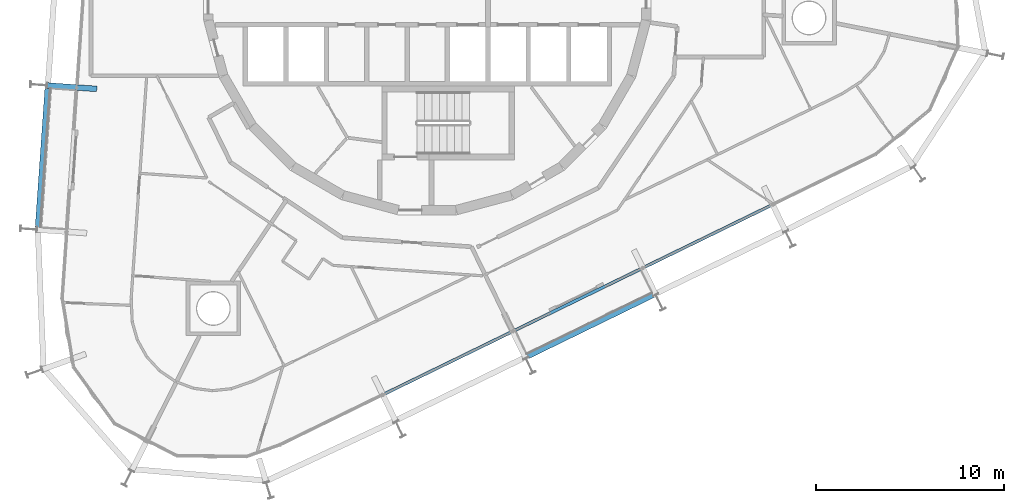
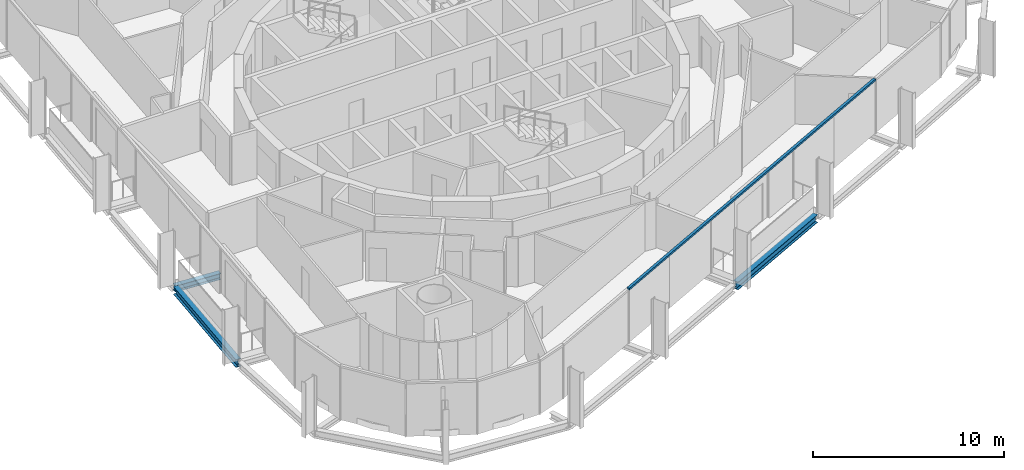
# One storey, part 3 of 18: 3 beams, 1 member, 1 element without a shape of its own.
"""IFC4 building model written with IfcOpenShell, lengths in metres."""

import ifcopenshell
import ifcopenshell.guid

model = None  # the IFC model being written
_history = None  # IfcOwnerHistory: only IFC2X3 demands one
_inside = {}  # id of a spatial element -> (the spatial element, [elements in it])
_under = {}  # id of a project, library or spatial element -> (it, [spatial elements below it])
_declared = {}  # id of a project -> (the project, [libraries it declares])
_typed = {}  # id of a type object -> (the type object, [elements of that type])
_made_of = {}  # id of a material, layer set ... -> (it, [elements and type objects made of it])


def new_model(schema):
    """Start an empty IFC model of exactly this schema.

    Asked for "IFC4X3", IfcOpenShell would pick the latest addendum, in which some entities
    have other attributes; the version numbers below select the first issue.
    IFC2X3 requires an IfcOwnerHistory on every rooted entity: one is made here for all.
    """
    global model, _history
    if schema == "IFC4X3":
        model = ifcopenshell.file(schema_version=(4, 3, 0, 0))
    else:
        model = ifcopenshell.file(schema=schema)
    _inside.clear()
    _under.clear()
    _declared.clear()
    _typed.clear()
    _made_of.clear()
    _history = None
    if model.schema == "IFC2X3":
        org = make("IfcOrganization", Name="unknown")
        user = make(
            "IfcPersonAndOrganization",
            ThePerson=make("IfcPerson", FamilyName="unknown"),
            TheOrganization=org,
        )
        app = make(
            "IfcApplication",
            ApplicationDeveloper=org,
            Version="unknown",
            ApplicationFullName="unknown",
            ApplicationIdentifier="unknown",
        )
        _history = make(
            "IfcOwnerHistory",
            OwningUser=user,
            OwningApplication=app,
            ChangeAction="ADDED",
            CreationDate=0,
        )
    return model


def make(cls, **values):
    """One entity of the class cls with the attributes given. An attribute that is None is left unset."""
    return model.create_entity(
        cls, **{name: value for name, value in values.items() if value is not None}
    )


def rooted(cls, **values):
    """An entity with a GlobalId (a new one), such as an element, a storey or a relation."""
    return make(cls, GlobalId=ifcopenshell.guid.new(), OwnerHistory=_history, **values)


def si_unit(unit_type, name, prefix=None):
    """IfcSIUnit, for example si_unit("LENGTHUNIT", "METRE", prefix="MILLI")."""
    return make("IfcSIUnit", UnitType=unit_type, Prefix=prefix, Name=name)


def assignment(units):
    """IfcUnitAssignment: the units of a project."""
    return None if units is None else make("IfcUnitAssignment", Units=units)


def point(xyz):
    """IfcCartesianPoint."""
    return None if xyz is None else make("IfcCartesianPoint", Coordinates=xyz)


def direction(xyz):
    """IfcDirection."""
    return None if xyz is None else make("IfcDirection", DirectionRatios=xyz)


def frame(location, z_axis=None, x_axis=None):
    """IfcAxis2Placement3D, a coordinate frame: its origin and axes. An axis left out is left unset."""
    return make(
        "IfcAxis2Placement3D",
        Location=point(location),
        Axis=direction(z_axis),
        RefDirection=direction(x_axis),
    )


def frame_2d(location, x_axis=None):
    """IfcAxis2Placement2D, a coordinate frame in the plane: its origin and x axis."""
    return make(
        "IfcAxis2Placement2D", Location=point(location), RefDirection=direction(x_axis)
    )


def origin():
    """The frame at (0, 0, 0) with its axes left unset."""
    return frame((0.0, 0.0, 0.0))


def origin_2d():
    """The frame at (0, 0) in the plane with its x axis left unset."""
    return frame_2d((0.0, 0.0))


def place(relative_to, where):
    """IfcLocalPlacement: puts the frame where relative to a parent placement (None: the world)."""
    return make(
        "IfcLocalPlacement", PlacementRelTo=relative_to, RelativePlacement=where
    )


def context(
    kind, dimensions, precision=None, world=None, true_north=None, identifier=None
):
    """IfcGeometricRepresentationContext, for example the 3D "Model" context."""
    return make(
        "IfcGeometricRepresentationContext",
        ContextIdentifier=identifier,
        ContextType=kind,
        CoordinateSpaceDimension=dimensions,
        Precision=precision,
        WorldCoordinateSystem=world,
        TrueNorth=true_north,
    )


def subcontext(parent, identifier, kind, view, scale=None):
    """IfcGeometricRepresentationSubContext, for example "Body" below "Model"."""
    return make(
        "IfcGeometricRepresentationSubContext",
        ContextIdentifier=identifier,
        ContextType=kind,
        ParentContext=parent,
        TargetScale=scale,
        TargetView=view,
    )


def project(units=None, contexts=None):
    """IfcProject with its units and contexts."""
    return rooted(
        "IfcProject",
        Name="project",
        RepresentationContexts=contexts,
        UnitsInContext=assignment(units),
    )


def spatial(cls, under=None, at=None, **own):
    """A site, building, storey or space (cls), placed at a placement, below another one or the project."""
    s = rooted(cls, ObjectPlacement=at, **own)
    if under is not None:
        _under.setdefault(under.id(), (under, []))[1].append(s)
    return s


def profile(cls, at=None, kind="AREA", **sizes):
    """A parametric profile (cls). Its sizes go by their IFC names, for example OverallWidth=200.0."""
    return make(cls, ProfileType=kind, Position=at, **sizes)


def rectangle(**sizes):
    """IfcRectangleProfileDef."""
    return profile("IfcRectangleProfileDef", **sizes)


def i_section(**sizes):
    """IfcIShapeProfileDef."""
    return profile("IfcIShapeProfileDef", **sizes)


def extrude(swept, where, along, depth):
    """IfcExtrudedAreaSolid: the profile swept, set in the frame where, extruded along a direction by depth."""
    return make(
        "IfcExtrudedAreaSolid",
        SweptArea=swept,
        Position=where,
        ExtrudedDirection=direction(along),
        Depth=depth,
    )


def shape(context_of_items, identifier, shape_type, items):
    """IfcShapeRepresentation: the items that make up one representation, for example the "Body"."""
    return make(
        "IfcShapeRepresentation",
        ContextOfItems=context_of_items,
        RepresentationIdentifier=identifier,
        RepresentationType=shape_type,
        Items=items,
    )


def material(Name=None, Category=None):
    """IfcMaterial."""
    return make("IfcMaterial", Name=Name, Category=Category)


def layer(
    of_material, thickness, ventilated=None, Name=None, Category=None, Priority=None
):
    """IfcMaterialLayer: one layer of a wall or slab, of a material (None: an air gap)."""
    return make(
        "IfcMaterialLayer",
        Material=of_material,
        LayerThickness=thickness,
        IsVentilated=ventilated,
        Name=Name,
        Category=Category,
        Priority=Priority,
    )


def layer_set(layers, Name=None):
    """IfcMaterialLayerSet."""
    return make("IfcMaterialLayerSet", MaterialLayers=layers, LayerSetName=Name)


def material_profile(
    of_material, cross_section, Name=None, Category=None, Priority=None
):
    """IfcMaterialProfile: a cross section and its material."""
    return make(
        "IfcMaterialProfile",
        Name=Name,
        Material=of_material,
        Profile=cross_section,
        Priority=Priority,
        Category=Category,
    )


def profile_set(profiles, Name=None, composite=None):
    """IfcMaterialProfileSet."""
    return make(
        "IfcMaterialProfileSet",
        Name=Name,
        MaterialProfiles=profiles,
        CompositeProfile=composite,
    )


def made_of(thing, what):
    """Note that an element or type object is made of a material, layer set ...; save() writes the relation."""
    if what is not None:
        _made_of.setdefault(what.id(), (what, []))[1].append(thing)
    return thing


def type_object(cls, material=None, **own):
    """A type object (cls), such as IfcWallType, which elements share."""
    return made_of(rooted(cls, **own), material)


def element(
    cls,
    number,
    at=None,
    inside=None,
    cuts=None,
    type_object=None,
    material=None,
    context=None,
    identifier="Body",
    shape_type=None,
    held_by="IfcProductDefinitionShape",
    body=None,
    shapes=None,
    **own,
):
    """One element of the class cls, such as IfcWall. Its Tag is "e" and its number.

    at: its placement. inside: the storey or other place that contains it. cuts: it is an
    opening in that element (IfcRelVoidsElement). A single representation is given by context,
    identifier, shape_type and body (its items); several are given by shapes. held_by: the class
    of the entity that holds the representations. save() writes the other relations.
    """
    e = rooted(cls, Tag="e%d" % number, ObjectPlacement=at, **own)
    if body is not None:
        shapes = [shape(context, identifier, shape_type, body)]
    if shapes is not None:
        e.Representation = make(held_by, Representations=shapes)
    if inside is not None:
        _inside.setdefault(inside.id(), (inside, []))[1].append(e)
    if cuts is not None:
        rooted(
            "IfcRelVoidsElement", RelatingBuildingElement=cuts, RelatedOpeningElement=e
        )
    if type_object is not None:
        _typed.setdefault(type_object.id(), (type_object, []))[1].append(e)
    return made_of(e, material)


def aggregate(whole, parts):
    """IfcRelAggregates: a whole, such as a stair, and the parts it consists of."""
    return rooted("IfcRelAggregates", RelatingObject=whole, RelatedObjects=parts)


def save(model, path):
    """Write the relations noted so far, then the file.

    IfcRelAggregates (storeys below a building ...), IfcRelContainedInSpatialStructure (elements
    in a storey), IfcRelDefinesByType, IfcRelAssociatesMaterial and IfcRelDeclares: one each for
    every whole, place, type object, material and project.
    """
    for whole, parts in _under.values():
        aggregate(whole, parts)
    for where, things in _inside.values():
        rooted(
            "IfcRelContainedInSpatialStructure",
            RelatedElements=things,
            RelatingStructure=where,
        )
    for kind, things in _typed.values():
        rooted("IfcRelDefinesByType", RelatedObjects=things, RelatingType=kind)
    for what, things in _made_of.values():
        rooted("IfcRelAssociatesMaterial", RelatedObjects=things, RelatingMaterial=what)
    for by, libraries in _declared.values():
        rooted("IfcRelDeclares", RelatingContext=by, RelatedDefinitions=libraries)
    model.write(path)


model = new_model("IFC4")

# Units and contexts
model_context = context("Model", 3, precision=1e-05, world=origin(), true_north=direction((0.0, 1.0)))
body_context = subcontext(model_context, "Body", "Model", "MODEL_VIEW")
ifc_project = project(units=[si_unit("LENGTHUNIT", "METRE"), si_unit("AREAUNIT", "SQUARE_METRE"), si_unit("VOLUMEUNIT", "CUBIC_METRE"), si_unit("PLANEANGLEUNIT", "RADIAN"), si_unit("MASSUNIT", "GRAM", prefix="KILO")], contexts=[model_context])

# Site, building, storey
site_placement = place(None, origin())
site = spatial("IfcSite", under=ifc_project, at=site_placement, CompositionType="ELEMENT")
building_placement = place(site_placement, origin())
building = spatial("IfcBuilding", under=site, at=building_placement, Name="Spindle Arch Residences", CompositionType="ELEMENT")
storey_placement = place(building_placement, frame((0.0, 0.0, 198.89990234375)))
storey = spatial("IfcBuildingStorey", under=building, at=storey_placement, Name="L50", CompositionType="ELEMENT", Elevation=198.89990234375)

# Curtain wall, member
ifc_material_1 = material(Name="Aluminium bronze unitised frame with tinted glass", Category="aluminium")
ifc_layer = layer(ifc_material_1, 0.159912109375)
ifc_layer_set = layer_set([ifc_layer], Name="CW-C typical residential unitised wall")
curtain_wall_type = type_object("IfcCurtainWallType", Name="CW-C typical residential unitised wall", PredefinedType="NOTDEFINED", material=ifc_layer_set)
curtain_wall_placement = place(storey_placement, origin())
curtain_wall = element("IfcCurtainWall", 1, at=curtain_wall_placement, inside=storey, type_object=curtain_wall_type, Name="CW-C L50 run 6", PredefinedType="NOTDEFINED")
ifc_material_2 = material(Name="Aluminium bronze anodised transom", Category="aluminium")
ifc_material_profile_1 = material_profile(ifc_material_2, rectangle(XDim=0.159912109375, YDim=0.1201171875, at=origin_2d()), Name="TR 120x160")
ifc_profile_set_1 = profile_set([ifc_material_profile_1], Name="Aluminium bronze anodised transom")
member_type = type_object("IfcMemberType", Name="Bronze transom 120x160", PredefinedType="USERDEFINED", material=ifc_profile_set_1)
member_placement = place(storey_placement, frame((-2.340576171875, -21.45849609375, 3.06005859375), z_axis=(0.898793313451, 0.438372649347, 0.0), x_axis=(-0.438372649347, 0.898793313451, 0.0)))
member = element("IfcMember", 2, at=member_placement, type_object=member_type, Name="CW-C transom 00", ObjectType="TRANSOM", PredefinedType="USERDEFINED", context=body_context, shape_type="SweptSolid", body=[
    extrude(rectangle(XDim=0.159912109375, YDim=0.1201171875, at=origin_2d()), origin(), (0.0, 0.0, 1.0), 23.02099609375),
])
aggregate(curtain_wall, [member])

# Beams
ifc_material_3 = material(Name="Steel S460ML, intumescent coating R 120", Category="steel")
ifc_material_profile_2 = material_profile(ifc_material_3, i_section(OverallWidth=0.300048828125, OverallDepth=0.5, WebThickness=0.014404296875, FlangeThickness=0.028076171875, FilletRadius=0.027099609375, at=origin_2d()), Name="HEB 500")
ifc_profile_set_2 = profile_set([ifc_material_profile_2], Name="Steel S460ML, intumescent coating R 120")
beam_type_1 = type_object("IfcBeamType", Name="Exoskeleton edge beam HEB 500", PredefinedType="BEAM", material=ifc_profile_set_2)
beam_1_placement = place(storey_placement, frame((-20.198974609375, -5.14501953125, -0.6298828125), z_axis=(-0.069725196579, -0.99756623688, 0.0), x_axis=(0.99756623688, -0.069725196579, 0.0)))
element("IfcBeam", 3, at=beam_1_placement, inside=storey, type_object=beam_type_1, Name="Exoskeleton edge beam 16", PredefinedType="BEAM", context=body_context, shape_type="SweptSolid", body=[
    extrude(i_section(OverallWidth=0.300048828125, OverallDepth=0.5, WebThickness=0.014404296875, FlangeThickness=0.028076171875, FilletRadius=0.027099609375, at=origin_2d()), origin(), (0.0, 0.0, 1.0), 7.43359375),
])
beam_2_placement = place(storey_placement, frame((5.3349609375, -19.417236328125, -0.6298828125), z_axis=(0.898791170385, 0.438377043238, 0.0), x_axis=(-0.438377043238, 0.898791170385, 0.0)))
element("IfcBeam", 4, at=beam_2_placement, inside=storey, type_object=beam_type_1, Name="Exoskeleton edge beam 22", PredefinedType="BEAM", context=body_context, shape_type="SweptSolid", body=[
    extrude(i_section(OverallWidth=0.300048828125, OverallDepth=0.5, WebThickness=0.014404296875, FlangeThickness=0.028076171875, FilletRadius=0.027099609375, at=origin_2d()), origin(), (0.0, 0.0, 1.0), 7.433837890625),
])
ifc_material_4 = material(Name="Steel S460ML, intumescent coating R 120", Category="steel")
ifc_material_profile_3 = material_profile(ifc_material_4, i_section(OverallWidth=0.300048828125, OverallDepth=0.389892578125, WebThickness=0.010986328125, FlangeThickness=0.01904296875, FilletRadius=0.027099609375, at=origin_2d()), Name="HEA 400")
ifc_profile_set_3 = profile_set([ifc_material_profile_3], Name="Steel S460ML, intumescent coating R 120")
beam_type_2 = type_object("IfcBeamType", Name="Floor outrigger HEA 400", PredefinedType="BEAM", material=ifc_profile_set_3)
beam_3_placement = place(storey_placement, frame((-20.229736328125, -5.012451171875, -0.574951171875), z_axis=(0.997565124092, -0.069741115528, 0.0), x_axis=(0.069741115528, 0.997565124092, 0.0)))
element("IfcBeam", 5, at=beam_3_placement, inside=storey, type_object=beam_type_2, Name="Floor outrigger 16", PredefinedType="BEAM", context=body_context, shape_type="SweptSolid", body=[
    extrude(i_section(OverallWidth=0.300048828125, OverallDepth=0.389892578125, WebThickness=0.010986328125, FlangeThickness=0.01904296875, FilletRadius=0.027099609375, at=origin_2d()), origin(), (0.0, 0.0, 1.0), 2.64990234375),
])

save(model, "model.ifc")
